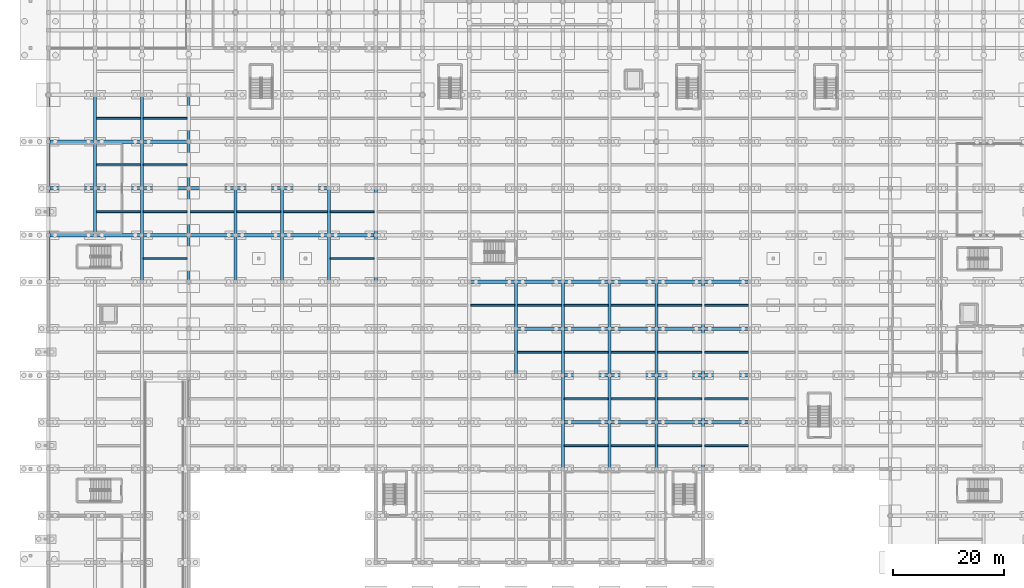
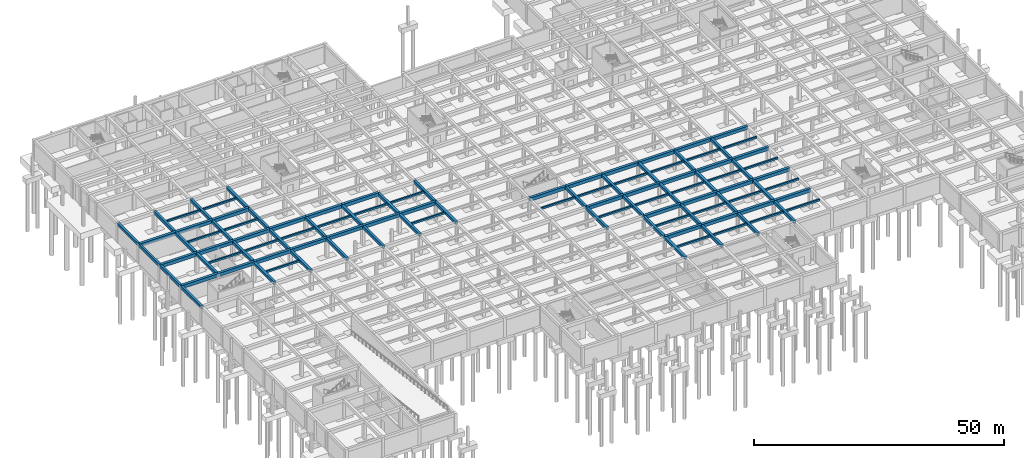
# One storey, part 17 of 51: 107 beams.
"""IFC4 building model written with IfcOpenShell, lengths in metres."""

from ifc_helpers import new_model, si_unit, direction, frame, origin, origin_2d, place, context, subcontext, project, spatial, rectangle, extrude, material, material_profile, profile_set, type_object, element, save


model = new_model("IFC4")

# Units and contexts
model_context = context("Model", 3, precision=1e-05, world=origin(), true_north=direction((0.0, 1.0)))
body_context = subcontext(model_context, "Body", "Model", "MODEL_VIEW")
ifc_project = project(units=[si_unit("LENGTHUNIT", "METRE"), si_unit("AREAUNIT", "SQUARE_METRE"), si_unit("VOLUMEUNIT", "CUBIC_METRE"), si_unit("PLANEANGLEUNIT", "RADIAN"), si_unit("MASSUNIT", "GRAM", prefix="KILO")], contexts=[model_context])

# Site, building, storey
site_placement = place(None, origin())
site = spatial("IfcSite", under=ifc_project, at=site_placement, CompositionType="ELEMENT")
building_placement = place(site_placement, origin())
building = spatial("IfcBuilding", under=site, at=building_placement, Name="Varncliffe General Hospital", CompositionType="ELEMENT")
storey_placement = place(building_placement, frame((0.0, 0.0, -4.800048828125)))
storey = spatial("IfcBuildingStorey", under=building, at=storey_placement, Name="B1", CompositionType="ELEMENT", Elevation=-4.800048828125)

# Beams
ifc_material = material(Name="Concrete C35/45 (CSA A23.1 35 MPa)", Category="concrete")
ifc_material_profile_1 = material_profile(ifc_material, rectangle(XDim=0.550048828125, YDim=0.699951171875, at=origin_2d()), Name="RC 550x700")
ifc_profile_set_1 = profile_set([ifc_material_profile_1], Name="Concrete C35/45 (CSA A23.1 35 MPa)")
beam_type_1 = type_object("IfcBeamType", Name="Beam B35 (Int RC 550x700)", PredefinedType="BEAM", material=ifc_profile_set_1)
beam_1_placement = place(storey_placement, frame((8.39990234375, 66.0, 4.449951171875), z_axis=(0.0, 1.0, 0.0), x_axis=(-1.0, 0.0, 0.0)))
element("IfcBeam", 1, at=beam_1_placement, inside=storey, type_object=beam_type_1, Name="B1 Primary Beam B35-345", PredefinedType="BEAM", context=body_context, shape_type="SweptSolid", body=[
    extrude(rectangle(XDim=0.550048828125, YDim=0.699951171875, at=origin_2d()), origin(), (0.0, 0.0, 1.0), 8.39990234375),
])
beam_2_placement = place(storey_placement, frame((8.39990234375, 74.39990234375, 4.449951171875), z_axis=(0.0, 1.0, 0.0), x_axis=(-1.0, 0.0, 0.0)))
element("IfcBeam", 2, at=beam_2_placement, inside=storey, type_object=beam_type_1, Name="B1 Primary Beam B35-346", PredefinedType="BEAM", context=body_context, shape_type="SweptSolid", body=[
    extrude(rectangle(XDim=0.550048828125, YDim=0.699951171875, at=origin_2d()), origin(), (0.0, 0.0, 1.0), 8.400146484375),
])
for number, where, z_axis, x_axis, name in (
    (3, (8.39990234375, 82.800048828125, 4.449951171875), (0.0, 1.0, 0.0), (-1.0, 0.0, 0.0), "B1 Primary Beam B35-347"),
    (4, (16.800048828125, 57.60009765625, 4.449951171875), (0.0, 1.0, 0.0), (-1.0, 0.0, 0.0), "B1 Primary Beam B35-361"),
    (5, (16.800048828125, 66.0, 4.449951171875), (0.0, 1.0, 0.0), (-1.0, 0.0, 0.0), "B1 Primary Beam B35-362"),
):
    element("IfcBeam", number, at=place(storey_placement, frame(where, z_axis=z_axis, x_axis=x_axis)), inside=storey, type_object=beam_type_1, Name=name, PredefinedType="BEAM", context=body_context, shape_type="SweptSolid", body=[
        extrude(rectangle(XDim=0.550048828125, YDim=0.699951171875, at=origin_2d()), origin(), (0.0, 0.0, 1.0), 8.39990234375),
    ])
beam_3_placement = place(storey_placement, frame((16.800048828125, 74.39990234375, 4.449951171875), z_axis=(0.0, 1.0, 0.0), x_axis=(-1.0, 0.0, 0.0)))
element("IfcBeam", 6, at=beam_3_placement, inside=storey, type_object=beam_type_1, Name="B1 Primary Beam B35-363", PredefinedType="BEAM", context=body_context, shape_type="SweptSolid", body=[
    extrude(rectangle(XDim=0.550048828125, YDim=0.699951171875, at=origin_2d()), origin(), (0.0, 0.0, 1.0), 8.400146484375),
])
for number, where, z_axis, x_axis, name in (
    (7, (16.800048828125, 82.800048828125, 4.449951171875), (0.0, 1.0, 0.0), (-1.0, 0.0, 0.0), "B1 Primary Beam B35-364"),
    (8, (25.199951171875, 57.60009765625, 4.449951171875), (0.0, 1.0, 0.0), (-1.0, 0.0, 0.0), "B1 Primary Beam B35-378"),
    (9, (25.199951171875, 66.0, 4.449951171875), (0.0, 1.0, 0.0), (-1.0, 0.0, 0.0), "B1 Primary Beam B35-379"),
):
    element("IfcBeam", number, at=place(storey_placement, frame(where, z_axis=z_axis, x_axis=x_axis)), inside=storey, type_object=beam_type_1, Name=name, PredefinedType="BEAM", context=body_context, shape_type="SweptSolid", body=[
        extrude(rectangle(XDim=0.550048828125, YDim=0.699951171875, at=origin_2d()), origin(), (0.0, 0.0, 1.0), 8.39990234375),
    ])
beam_4_placement = place(storey_placement, frame((25.199951171875, 74.39990234375, 4.449951171875), z_axis=(0.0, 1.0, 0.0), x_axis=(-1.0, 0.0, 0.0)))
element("IfcBeam", 10, at=beam_4_placement, inside=storey, type_object=beam_type_1, Name="B1 Primary Beam B35-380", PredefinedType="BEAM", context=body_context, shape_type="SweptSolid", body=[
    extrude(rectangle(XDim=0.550048828125, YDim=0.699951171875, at=origin_2d()), origin(), (0.0, 0.0, 1.0), 8.400146484375),
])
for number, where, z_axis, x_axis, name in (
    (11, (25.199951171875, 82.800048828125, 4.449951171875), (0.0, 1.0, 0.0), (-1.0, 0.0, 0.0), "B1 Primary Beam B35-381"),
    (12, (33.60009765625, 57.60009765625, 4.449951171875), (0.0, 1.0, 0.0), (-1.0, 0.0, 0.0), "B1 Primary Beam B35-392"),
    (13, (33.60009765625, 66.0, 4.449951171875), (0.0, 1.0, 0.0), (-1.0, 0.0, 0.0), "B1 Primary Beam B35-393"),
    (14, (42.0, 57.60009765625, 4.449951171875), (0.0, 1.0, 0.0), (-1.0, 0.0, 0.0), "B1 Primary Beam B35-406"),
    (15, (42.0, 66.0, 4.449951171875), (0.0, 1.0, 0.0), (-1.0, 0.0, 0.0), "B1 Primary Beam B35-407"),
    (16, (50.39990234375, 57.60009765625, 4.449951171875), (0.0, 1.0, 0.0), (-1.0, 0.0, 0.0), "B1 Primary Beam B35-420"),
    (17, (50.39990234375, 66.0, 4.449951171875), (0.0, 1.0, 0.0), (-1.0, 0.0, 0.0), "B1 Primary Beam B35-421"),
    (18, (58.800048828125, 57.60009765625, 4.449951171875), (0.0, 1.0, 0.0), (-1.0, 0.0, 0.0), "B1 Primary Beam B35-436"),
    (19, (58.800048828125, 66.0, 4.449951171875), (0.0, 1.0, 0.0), (-1.0, 0.0, 0.0), "B1 Primary Beam B35-437"),
    (20, (84.0, 40.800048828125, 4.449951171875), (0.0, 1.0, 0.0), (-1.0, 0.0, 0.0), "B1 Primary Beam B35-479"),
):
    element("IfcBeam", number, at=place(storey_placement, frame(where, z_axis=z_axis, x_axis=x_axis)), inside=storey, type_object=beam_type_1, Name=name, PredefinedType="BEAM", context=body_context, shape_type="SweptSolid", body=[
        extrude(rectangle(XDim=0.550048828125, YDim=0.699951171875, at=origin_2d()), origin(), (0.0, 0.0, 1.0), 8.39990234375),
    ])
beam_5_placement = place(storey_placement, frame((84.0, 49.199951171875, 4.449951171875), z_axis=(0.0, 1.0, 0.0), x_axis=(-1.0, 0.0, 0.0)))
element("IfcBeam", 21, at=beam_5_placement, inside=storey, type_object=beam_type_1, Name="B1 Primary Beam B35-480", PredefinedType="BEAM", context=body_context, shape_type="SweptSolid", body=[
    extrude(rectangle(XDim=0.550048828125, YDim=0.699951171875, at=origin_2d()), origin(), (0.0, 0.0, 1.0), 8.400146484375),
])
beam_6_placement = place(storey_placement, frame((92.39990234375, 24.0, 4.449951171875), z_axis=(0.0, 1.0, 0.0), x_axis=(-1.0, 0.0, 0.0)))
element("IfcBeam", 22, at=beam_6_placement, inside=storey, type_object=beam_type_1, Name="B1 Primary Beam B35-490", PredefinedType="BEAM", context=body_context, shape_type="SweptSolid", body=[
    extrude(rectangle(XDim=0.550048828125, YDim=0.699951171875, at=origin_2d()), origin(), (0.0, 0.0, 1.0), 8.39990234375),
])
beam_7_placement = place(storey_placement, frame((92.39990234375, 32.39990234375, 4.449951171875), z_axis=(0.0, 1.0, 0.0), x_axis=(-1.0, 0.0, 0.0)))
element("IfcBeam", 23, at=beam_7_placement, inside=storey, type_object=beam_type_1, Name="B1 Primary Beam B35-491", PredefinedType="BEAM", context=body_context, shape_type="SweptSolid", body=[
    extrude(rectangle(XDim=0.550048828125, YDim=0.699951171875, at=origin_2d()), origin(), (0.0, 0.0, 1.0), 8.400146484375),
])
beam_8_placement = place(storey_placement, frame((92.39990234375, 40.800048828125, 4.449951171875), z_axis=(0.0, 1.0, 0.0), x_axis=(-1.0, 0.0, 0.0)))
element("IfcBeam", 24, at=beam_8_placement, inside=storey, type_object=beam_type_1, Name="B1 Primary Beam B35-492", PredefinedType="BEAM", context=body_context, shape_type="SweptSolid", body=[
    extrude(rectangle(XDim=0.550048828125, YDim=0.699951171875, at=origin_2d()), origin(), (0.0, 0.0, 1.0), 8.39990234375),
])
beam_9_placement = place(storey_placement, frame((92.39990234375, 49.199951171875, 4.449951171875), z_axis=(0.0, 1.0, 0.0), x_axis=(-1.0, 0.0, 0.0)))
element("IfcBeam", 25, at=beam_9_placement, inside=storey, type_object=beam_type_1, Name="B1 Primary Beam B35-493", PredefinedType="BEAM", context=body_context, shape_type="SweptSolid", body=[
    extrude(rectangle(XDim=0.550048828125, YDim=0.699951171875, at=origin_2d()), origin(), (0.0, 0.0, 1.0), 8.400146484375),
])
beam_10_placement = place(storey_placement, frame((100.800048828125, 24.0, 4.449951171875), z_axis=(0.0, 1.0, 0.0), x_axis=(-1.0, 0.0, 0.0)))
element("IfcBeam", 26, at=beam_10_placement, inside=storey, type_object=beam_type_1, Name="B1 Primary Beam B35-503", PredefinedType="BEAM", context=body_context, shape_type="SweptSolid", body=[
    extrude(rectangle(XDim=0.550048828125, YDim=0.699951171875, at=origin_2d()), origin(), (0.0, 0.0, 1.0), 8.39990234375),
])
beam_11_placement = place(storey_placement, frame((100.800048828125, 32.39990234375, 4.449951171875), z_axis=(0.0, 1.0, 0.0), x_axis=(-1.0, 0.0, 0.0)))
element("IfcBeam", 27, at=beam_11_placement, inside=storey, type_object=beam_type_1, Name="B1 Primary Beam B35-504", PredefinedType="BEAM", context=body_context, shape_type="SweptSolid", body=[
    extrude(rectangle(XDim=0.550048828125, YDim=0.699951171875, at=origin_2d()), origin(), (0.0, 0.0, 1.0), 8.400146484375),
])
beam_12_placement = place(storey_placement, frame((100.800048828125, 40.800048828125, 4.449951171875), z_axis=(0.0, 1.0, 0.0), x_axis=(-1.0, 0.0, 0.0)))
element("IfcBeam", 28, at=beam_12_placement, inside=storey, type_object=beam_type_1, Name="B1 Primary Beam B35-505", PredefinedType="BEAM", context=body_context, shape_type="SweptSolid", body=[
    extrude(rectangle(XDim=0.550048828125, YDim=0.699951171875, at=origin_2d()), origin(), (0.0, 0.0, 1.0), 8.39990234375),
])
beam_13_placement = place(storey_placement, frame((100.800048828125, 49.199951171875, 4.449951171875), z_axis=(0.0, 1.0, 0.0), x_axis=(-1.0, 0.0, 0.0)))
element("IfcBeam", 29, at=beam_13_placement, inside=storey, type_object=beam_type_1, Name="B1 Primary Beam B35-506", PredefinedType="BEAM", context=body_context, shape_type="SweptSolid", body=[
    extrude(rectangle(XDim=0.550048828125, YDim=0.699951171875, at=origin_2d()), origin(), (0.0, 0.0, 1.0), 8.400146484375),
])
beam_14_placement = place(storey_placement, frame((109.199951171875, 24.0, 4.449951171875), z_axis=(0.0, 1.0, 0.0), x_axis=(-1.0, 0.0, 0.0)))
element("IfcBeam", 30, at=beam_14_placement, inside=storey, type_object=beam_type_1, Name="B1 Primary Beam B35-516", PredefinedType="BEAM", context=body_context, shape_type="SweptSolid", body=[
    extrude(rectangle(XDim=0.550048828125, YDim=0.699951171875, at=origin_2d()), origin(), (0.0, 0.0, 1.0), 8.39990234375),
])
beam_15_placement = place(storey_placement, frame((109.199951171875, 32.39990234375, 4.449951171875), z_axis=(0.0, 1.0, 0.0), x_axis=(-1.0, 0.0, 0.0)))
element("IfcBeam", 31, at=beam_15_placement, inside=storey, type_object=beam_type_1, Name="B1 Primary Beam B35-517", PredefinedType="BEAM", context=body_context, shape_type="SweptSolid", body=[
    extrude(rectangle(XDim=0.550048828125, YDim=0.699951171875, at=origin_2d()), origin(), (0.0, 0.0, 1.0), 8.400146484375),
])
beam_16_placement = place(storey_placement, frame((109.199951171875, 40.800048828125, 4.449951171875), z_axis=(0.0, 1.0, 0.0), x_axis=(-1.0, 0.0, 0.0)))
element("IfcBeam", 32, at=beam_16_placement, inside=storey, type_object=beam_type_1, Name="B1 Primary Beam B35-518", PredefinedType="BEAM", context=body_context, shape_type="SweptSolid", body=[
    extrude(rectangle(XDim=0.550048828125, YDim=0.699951171875, at=origin_2d()), origin(), (0.0, 0.0, 1.0), 8.39990234375),
])
beam_17_placement = place(storey_placement, frame((109.199951171875, 49.199951171875, 4.449951171875), z_axis=(0.0, 1.0, 0.0), x_axis=(-1.0, 0.0, 0.0)))
element("IfcBeam", 33, at=beam_17_placement, inside=storey, type_object=beam_type_1, Name="B1 Primary Beam B35-519", PredefinedType="BEAM", context=body_context, shape_type="SweptSolid", body=[
    extrude(rectangle(XDim=0.550048828125, YDim=0.699951171875, at=origin_2d()), origin(), (0.0, 0.0, 1.0), 8.400146484375),
])
beam_18_placement = place(storey_placement, frame((117.60009765625, 24.0, 4.449951171875), z_axis=(0.0, 1.0, 0.0), x_axis=(-1.0, 0.0, 0.0)))
element("IfcBeam", 34, at=beam_18_placement, inside=storey, type_object=beam_type_1, Name="B1 Primary Beam B35-532", PredefinedType="BEAM", context=body_context, shape_type="SweptSolid", body=[
    extrude(rectangle(XDim=0.550048828125, YDim=0.699951171875, at=origin_2d()), origin(), (0.0, 0.0, 1.0), 8.39990234375),
])
beam_19_placement = place(storey_placement, frame((117.60009765625, 32.39990234375, 4.449951171875), z_axis=(0.0, 1.0, 0.0), x_axis=(-1.0, 0.0, 0.0)))
element("IfcBeam", 35, at=beam_19_placement, inside=storey, type_object=beam_type_1, Name="B1 Primary Beam B35-533", PredefinedType="BEAM", context=body_context, shape_type="SweptSolid", body=[
    extrude(rectangle(XDim=0.550048828125, YDim=0.699951171875, at=origin_2d()), origin(), (0.0, 0.0, 1.0), 8.400146484375),
])
beam_20_placement = place(storey_placement, frame((117.60009765625, 40.800048828125, 4.449951171875), z_axis=(0.0, 1.0, 0.0), x_axis=(-1.0, 0.0, 0.0)))
element("IfcBeam", 36, at=beam_20_placement, inside=storey, type_object=beam_type_1, Name="B1 Primary Beam B35-534", PredefinedType="BEAM", context=body_context, shape_type="SweptSolid", body=[
    extrude(rectangle(XDim=0.550048828125, YDim=0.699951171875, at=origin_2d()), origin(), (0.0, 0.0, 1.0), 8.39990234375),
])
beam_21_placement = place(storey_placement, frame((117.60009765625, 49.199951171875, 4.449951171875), z_axis=(0.0, 1.0, 0.0), x_axis=(-1.0, 0.0, 0.0)))
element("IfcBeam", 37, at=beam_21_placement, inside=storey, type_object=beam_type_1, Name="B1 Primary Beam B35-535", PredefinedType="BEAM", context=body_context, shape_type="SweptSolid", body=[
    extrude(rectangle(XDim=0.550048828125, YDim=0.699951171875, at=origin_2d()), origin(), (0.0, 0.0, 1.0), 8.400146484375),
])
ifc_material_profile_2 = material_profile(ifc_material, rectangle(XDim=0.60009765625, YDim=0.800048828125, at=origin_2d()), Name="RC 600x800")
ifc_profile_set_2 = profile_set([ifc_material_profile_2], Name="Concrete C35/45 (CSA A23.1 35 MPa)")
beam_type_2 = type_object("IfcBeamType", Name="Beam B40 (Int RC 600x800)", PredefinedType="BEAM", material=ifc_profile_set_2)
beam_22_placement = place(storey_placement, frame((92.39990234375, 32.39990234375, 4.400146484375), z_axis=(1.0, 0.0, 0.0), x_axis=(0.0, 1.0, 0.0)))
element("IfcBeam", 38, at=beam_22_placement, inside=storey, type_object=beam_type_2, Name="B1 Primary Beam B40-61", PredefinedType="BEAM", context=body_context, shape_type="SweptSolid", body=[
    extrude(rectangle(XDim=0.60009765625, YDim=0.800048828125, at=origin_2d()), origin(), (0.0, 0.0, 1.0), 8.400146484375),
])
beam_23_placement = place(storey_placement, frame((100.800048828125, 32.39990234375, 4.400146484375), z_axis=(1.0, 0.0, 0.0), x_axis=(0.0, 1.0, 0.0)))
element("IfcBeam", 39, at=beam_23_placement, inside=storey, type_object=beam_type_2, Name="B1 Primary Beam B40-62", PredefinedType="BEAM", context=body_context, shape_type="SweptSolid", body=[
    extrude(rectangle(XDim=0.60009765625, YDim=0.800048828125, at=origin_2d()), origin(), (0.0, 0.0, 1.0), 8.39990234375),
])
beam_24_placement = place(storey_placement, frame((109.199951171875, 32.39990234375, 4.400146484375), z_axis=(1.0, 0.0, 0.0), x_axis=(0.0, 1.0, 0.0)))
element("IfcBeam", 40, at=beam_24_placement, inside=storey, type_object=beam_type_2, Name="B1 Primary Beam B40-63", PredefinedType="BEAM", context=body_context, shape_type="SweptSolid", body=[
    extrude(rectangle(XDim=0.60009765625, YDim=0.800048828125, at=origin_2d()), origin(), (0.0, 0.0, 1.0), 8.400146484375),
])
beam_25_placement = place(storey_placement, frame((117.60009765625, 32.39990234375, 4.400146484375), z_axis=(1.0, 0.0, 0.0), x_axis=(0.0, 1.0, 0.0)))
element("IfcBeam", 41, at=beam_25_placement, inside=storey, type_object=beam_type_2, Name="B1 Primary Beam B40-64", PredefinedType="BEAM", context=body_context, shape_type="SweptSolid", body=[
    extrude(rectangle(XDim=0.60009765625, YDim=0.800048828125, at=origin_2d()), origin(), (0.0, 0.0, 1.0), 8.39990234375),
])
beam_26_placement = place(storey_placement, frame((92.39990234375, 40.800048828125, 4.400146484375), z_axis=(1.0, 0.0, 0.0), x_axis=(0.0, 1.0, 0.0)))
element("IfcBeam", 42, at=beam_26_placement, inside=storey, type_object=beam_type_2, Name="B1 Primary Beam B40-81", PredefinedType="BEAM", context=body_context, shape_type="SweptSolid", body=[
    extrude(rectangle(XDim=0.60009765625, YDim=0.800048828125, at=origin_2d()), origin(), (0.0, 0.0, 1.0), 8.400146484375),
])
beam_27_placement = place(storey_placement, frame((100.800048828125, 40.800048828125, 4.400146484375), z_axis=(1.0, 0.0, 0.0), x_axis=(0.0, 1.0, 0.0)))
element("IfcBeam", 43, at=beam_27_placement, inside=storey, type_object=beam_type_2, Name="B1 Primary Beam B40-82", PredefinedType="BEAM", context=body_context, shape_type="SweptSolid", body=[
    extrude(rectangle(XDim=0.60009765625, YDim=0.800048828125, at=origin_2d()), origin(), (0.0, 0.0, 1.0), 8.39990234375),
])
beam_28_placement = place(storey_placement, frame((109.199951171875, 40.800048828125, 4.400146484375), z_axis=(1.0, 0.0, 0.0), x_axis=(0.0, 1.0, 0.0)))
element("IfcBeam", 44, at=beam_28_placement, inside=storey, type_object=beam_type_2, Name="B1 Primary Beam B40-83", PredefinedType="BEAM", context=body_context, shape_type="SweptSolid", body=[
    extrude(rectangle(XDim=0.60009765625, YDim=0.800048828125, at=origin_2d()), origin(), (0.0, 0.0, 1.0), 8.400146484375),
])
for number, where, z_axis, x_axis, name in (
    (45, (117.60009765625, 40.800048828125, 4.400146484375), (1.0, 0.0, 0.0), (0.0, 1.0, 0.0), "B1 Primary Beam B40-84"),
    (46, (84.0, 49.199951171875, 4.400146484375), (1.0, 0.0, 0.0), (0.0, 1.0, 0.0), "B1 Primary Beam B40-101"),
):
    element("IfcBeam", number, at=place(storey_placement, frame(where, z_axis=z_axis, x_axis=x_axis)), inside=storey, type_object=beam_type_2, Name=name, PredefinedType="BEAM", context=body_context, shape_type="SweptSolid", body=[
        extrude(rectangle(XDim=0.60009765625, YDim=0.800048828125, at=origin_2d()), origin(), (0.0, 0.0, 1.0), 8.39990234375),
    ])
beam_29_placement = place(storey_placement, frame((92.39990234375, 49.199951171875, 4.400146484375), z_axis=(1.0, 0.0, 0.0), x_axis=(0.0, 1.0, 0.0)))
element("IfcBeam", 47, at=beam_29_placement, inside=storey, type_object=beam_type_2, Name="B1 Primary Beam B40-102", PredefinedType="BEAM", context=body_context, shape_type="SweptSolid", body=[
    extrude(rectangle(XDim=0.60009765625, YDim=0.800048828125, at=origin_2d()), origin(), (0.0, 0.0, 1.0), 8.400146484375),
])
beam_30_placement = place(storey_placement, frame((100.800048828125, 49.199951171875, 4.400146484375), z_axis=(1.0, 0.0, 0.0), x_axis=(0.0, 1.0, 0.0)))
element("IfcBeam", 48, at=beam_30_placement, inside=storey, type_object=beam_type_2, Name="B1 Primary Beam B40-103", PredefinedType="BEAM", context=body_context, shape_type="SweptSolid", body=[
    extrude(rectangle(XDim=0.60009765625, YDim=0.800048828125, at=origin_2d()), origin(), (0.0, 0.0, 1.0), 8.39990234375),
])
beam_31_placement = place(storey_placement, frame((109.199951171875, 49.199951171875, 4.400146484375), z_axis=(1.0, 0.0, 0.0), x_axis=(0.0, 1.0, 0.0)))
element("IfcBeam", 49, at=beam_31_placement, inside=storey, type_object=beam_type_2, Name="B1 Primary Beam B40-104", PredefinedType="BEAM", context=body_context, shape_type="SweptSolid", body=[
    extrude(rectangle(XDim=0.60009765625, YDim=0.800048828125, at=origin_2d()), origin(), (0.0, 0.0, 1.0), 8.400146484375),
])
for number, where, z_axis, x_axis, name in (
    (50, (117.60009765625, 49.199951171875, 4.400146484375), (1.0, 0.0, 0.0), (0.0, 1.0, 0.0), "B1 Primary Beam B40-105"),
    (51, (75.60009765625, 57.60009765625, 4.400146484375), (1.0, 0.0, 0.0), (0.0, 1.0, 0.0), "B1 Primary Beam B40-121"),
    (52, (84.0, 57.60009765625, 4.400146484375), (1.0, 0.0, 0.0), (0.0, 1.0, 0.0), "B1 Primary Beam B40-122"),
):
    element("IfcBeam", number, at=place(storey_placement, frame(where, z_axis=z_axis, x_axis=x_axis)), inside=storey, type_object=beam_type_2, Name=name, PredefinedType="BEAM", context=body_context, shape_type="SweptSolid", body=[
        extrude(rectangle(XDim=0.60009765625, YDim=0.800048828125, at=origin_2d()), origin(), (0.0, 0.0, 1.0), 8.39990234375),
    ])
beam_32_placement = place(storey_placement, frame((92.39990234375, 57.60009765625, 4.400146484375), z_axis=(1.0, 0.0, 0.0), x_axis=(0.0, 1.0, 0.0)))
element("IfcBeam", 53, at=beam_32_placement, inside=storey, type_object=beam_type_2, Name="B1 Primary Beam B40-123", PredefinedType="BEAM", context=body_context, shape_type="SweptSolid", body=[
    extrude(rectangle(XDim=0.60009765625, YDim=0.800048828125, at=origin_2d()), origin(), (0.0, 0.0, 1.0), 8.400146484375),
])
beam_33_placement = place(storey_placement, frame((100.800048828125, 57.60009765625, 4.400146484375), z_axis=(1.0, 0.0, 0.0), x_axis=(0.0, 1.0, 0.0)))
element("IfcBeam", 54, at=beam_33_placement, inside=storey, type_object=beam_type_2, Name="B1 Primary Beam B40-124", PredefinedType="BEAM", context=body_context, shape_type="SweptSolid", body=[
    extrude(rectangle(XDim=0.60009765625, YDim=0.800048828125, at=origin_2d()), origin(), (0.0, 0.0, 1.0), 8.39990234375),
])
beam_34_placement = place(storey_placement, frame((109.199951171875, 57.60009765625, 4.400146484375), z_axis=(1.0, 0.0, 0.0), x_axis=(0.0, 1.0, 0.0)))
element("IfcBeam", 55, at=beam_34_placement, inside=storey, type_object=beam_type_2, Name="B1 Primary Beam B40-125", PredefinedType="BEAM", context=body_context, shape_type="SweptSolid", body=[
    extrude(rectangle(XDim=0.60009765625, YDim=0.800048828125, at=origin_2d()), origin(), (0.0, 0.0, 1.0), 8.400146484375),
])
for number, where, z_axis, x_axis, name in (
    (56, (117.60009765625, 57.60009765625, 4.400146484375), (1.0, 0.0, 0.0), (0.0, 1.0, 0.0), "B1 Primary Beam B40-126"),
    (57, (0.0, 66.0, 4.400146484375), (1.0, 0.0, 0.0), (0.0, 1.0, 0.0), "B1 Primary Beam B40-133"),
):
    element("IfcBeam", number, at=place(storey_placement, frame(where, z_axis=z_axis, x_axis=x_axis)), inside=storey, type_object=beam_type_2, Name=name, PredefinedType="BEAM", context=body_context, shape_type="SweptSolid", body=[
        extrude(rectangle(XDim=0.60009765625, YDim=0.800048828125, at=origin_2d()), origin(), (0.0, 0.0, 1.0), 8.39990234375),
    ])
beam_35_placement = place(storey_placement, frame((8.39990234375, 66.0, 4.400146484375), z_axis=(1.0, 0.0, 0.0), x_axis=(0.0, 1.0, 0.0)))
element("IfcBeam", 58, at=beam_35_placement, inside=storey, type_object=beam_type_2, Name="B1 Primary Beam B40-134", PredefinedType="BEAM", context=body_context, shape_type="SweptSolid", body=[
    extrude(rectangle(XDim=0.60009765625, YDim=0.800048828125, at=origin_2d()), origin(), (0.0, 0.0, 1.0), 8.400146484375),
])
beam_36_placement = place(storey_placement, frame((16.800048828125, 66.0, 4.400146484375), z_axis=(1.0, 0.0, 0.0), x_axis=(0.0, 1.0, 0.0)))
element("IfcBeam", 59, at=beam_36_placement, inside=storey, type_object=beam_type_2, Name="B1 Primary Beam B40-135", PredefinedType="BEAM", context=body_context, shape_type="SweptSolid", body=[
    extrude(rectangle(XDim=0.60009765625, YDim=0.800048828125, at=origin_2d()), origin(), (0.0, 0.0, 1.0), 8.39990234375),
])
beam_37_placement = place(storey_placement, frame((25.199951171875, 66.0, 4.400146484375), z_axis=(1.0, 0.0, 0.0), x_axis=(0.0, 1.0, 0.0)))
element("IfcBeam", 60, at=beam_37_placement, inside=storey, type_object=beam_type_2, Name="B1 Primary Beam B40-136", PredefinedType="BEAM", context=body_context, shape_type="SweptSolid", body=[
    extrude(rectangle(XDim=0.60009765625, YDim=0.800048828125, at=origin_2d()), origin(), (0.0, 0.0, 1.0), 8.400146484375),
])
for number, where, z_axis, x_axis, name in (
    (61, (33.60009765625, 66.0, 4.400146484375), (1.0, 0.0, 0.0), (0.0, 1.0, 0.0), "B1 Primary Beam B40-137"),
    (62, (42.0, 66.0, 4.400146484375), (1.0, 0.0, 0.0), (0.0, 1.0, 0.0), "B1 Primary Beam B40-138"),
):
    element("IfcBeam", number, at=place(storey_placement, frame(where, z_axis=z_axis, x_axis=x_axis)), inside=storey, type_object=beam_type_2, Name=name, PredefinedType="BEAM", context=body_context, shape_type="SweptSolid", body=[
        extrude(rectangle(XDim=0.60009765625, YDim=0.800048828125, at=origin_2d()), origin(), (0.0, 0.0, 1.0), 8.39990234375),
    ])
beam_38_placement = place(storey_placement, frame((50.39990234375, 66.0, 4.400146484375), z_axis=(1.0, 0.0, 0.0), x_axis=(0.0, 1.0, 0.0)))
element("IfcBeam", 63, at=beam_38_placement, inside=storey, type_object=beam_type_2, Name="B1 Primary Beam B40-139", PredefinedType="BEAM", context=body_context, shape_type="SweptSolid", body=[
    extrude(rectangle(XDim=0.60009765625, YDim=0.800048828125, at=origin_2d()), origin(), (0.0, 0.0, 1.0), 8.400146484375),
])
beam_39_placement = place(storey_placement, frame((0.0, 74.39990234375, 4.400146484375), z_axis=(1.0, 0.0, 0.0), x_axis=(0.0, 1.0, 0.0)))
element("IfcBeam", 64, at=beam_39_placement, inside=storey, type_object=beam_type_2, Name="B1 Primary Beam B40-154", PredefinedType="BEAM", context=body_context, shape_type="SweptSolid", body=[
    extrude(rectangle(XDim=0.60009765625, YDim=0.800048828125, at=origin_2d()), origin(), (0.0, 0.0, 1.0), 8.39990234375),
])
beam_40_placement = place(storey_placement, frame((8.39990234375, 74.39990234375, 4.400146484375), z_axis=(1.0, 0.0, 0.0), x_axis=(0.0, 1.0, 0.0)))
element("IfcBeam", 65, at=beam_40_placement, inside=storey, type_object=beam_type_2, Name="B1 Primary Beam B40-155", PredefinedType="BEAM", context=body_context, shape_type="SweptSolid", body=[
    extrude(rectangle(XDim=0.60009765625, YDim=0.800048828125, at=origin_2d()), origin(), (0.0, 0.0, 1.0), 8.400146484375),
])
beam_41_placement = place(storey_placement, frame((16.800048828125, 74.39990234375, 4.400146484375), z_axis=(1.0, 0.0, 0.0), x_axis=(0.0, 1.0, 0.0)))
element("IfcBeam", 66, at=beam_41_placement, inside=storey, type_object=beam_type_2, Name="B1 Primary Beam B40-156", PredefinedType="BEAM", context=body_context, shape_type="SweptSolid", body=[
    extrude(rectangle(XDim=0.60009765625, YDim=0.800048828125, at=origin_2d()), origin(), (0.0, 0.0, 1.0), 8.39990234375),
])
beam_42_placement = place(storey_placement, frame((25.199951171875, 74.39990234375, 4.400146484375), z_axis=(1.0, 0.0, 0.0), x_axis=(0.0, 1.0, 0.0)))
element("IfcBeam", 67, at=beam_42_placement, inside=storey, type_object=beam_type_2, Name="B1 Primary Beam B40-157", PredefinedType="BEAM", context=body_context, shape_type="SweptSolid", body=[
    extrude(rectangle(XDim=0.60009765625, YDim=0.800048828125, at=origin_2d()), origin(), (0.0, 0.0, 1.0), 8.400146484375),
])
for number, where, z_axis, x_axis, name in (
    (68, (33.60009765625, 74.39990234375, 4.400146484375), (1.0, 0.0, 0.0), (0.0, 1.0, 0.0), "B1 Primary Beam B40-158"),
    (69, (42.0, 74.39990234375, 4.400146484375), (1.0, 0.0, 0.0), (0.0, 1.0, 0.0), "B1 Primary Beam B40-159"),
    (70, (0.0, 82.800048828125, 4.400146484375), (1.0, 0.0, 0.0), (0.0, 1.0, 0.0), "B1 Primary Beam B40-175"),
):
    element("IfcBeam", number, at=place(storey_placement, frame(where, z_axis=z_axis, x_axis=x_axis)), inside=storey, type_object=beam_type_2, Name=name, PredefinedType="BEAM", context=body_context, shape_type="SweptSolid", body=[
        extrude(rectangle(XDim=0.60009765625, YDim=0.800048828125, at=origin_2d()), origin(), (0.0, 0.0, 1.0), 8.39990234375),
    ])
beam_43_placement = place(storey_placement, frame((8.39990234375, 82.800048828125, 4.400146484375), z_axis=(1.0, 0.0, 0.0), x_axis=(0.0, 1.0, 0.0)))
element("IfcBeam", 71, at=beam_43_placement, inside=storey, type_object=beam_type_2, Name="B1 Primary Beam B40-176", PredefinedType="BEAM", context=body_context, shape_type="SweptSolid", body=[
    extrude(rectangle(XDim=0.60009765625, YDim=0.800048828125, at=origin_2d()), origin(), (0.0, 0.0, 1.0), 8.400146484375),
])
beam_44_placement = place(storey_placement, frame((16.800048828125, 82.800048828125, 4.400146484375), z_axis=(1.0, 0.0, 0.0), x_axis=(0.0, 1.0, 0.0)))
element("IfcBeam", 72, at=beam_44_placement, inside=storey, type_object=beam_type_2, Name="B1 Primary Beam B40-177", PredefinedType="BEAM", context=body_context, shape_type="SweptSolid", body=[
    extrude(rectangle(XDim=0.60009765625, YDim=0.800048828125, at=origin_2d()), origin(), (0.0, 0.0, 1.0), 8.39990234375),
])
ifc_material_profile_3 = material_profile(ifc_material, rectangle(XDim=0.35009765625, YDim=0.449951171875, at=origin_2d()), Name="RC 350x450")
ifc_profile_set_3 = profile_set([ifc_material_profile_3], Name="Concrete C35/45 (CSA A23.1 35 MPa)")
beam_type_3 = type_object("IfcBeamType", Name="Joist J55 (Int RC 350x450)", PredefinedType="JOIST", material=ifc_profile_set_3)
for number, where, z_axis, x_axis, name in (
    (73, (8.673095703125, 70.199951171875, 4.574951171875), (1.0, 0.0, 0.0), (0.0, 1.0, 0.0), "B1 Secondary Floor Rib J55-6"),
    (74, (8.673095703125, 78.60009765625, 4.574951171875), (1.0, 0.0, 0.0), (0.0, 1.0, 0.0), "B1 Secondary Floor Rib J55-7"),
    (75, (8.673095703125, 87.0, 4.574951171875), (1.0, 0.0, 0.0), (0.0, 1.0, 0.0), "B1 Secondary Floor Rib J55-8"),
    (76, (17.072998046875, 61.800048828125, 4.574951171875), (1.0, 0.0, 0.0), (0.0, 1.0, 0.0), "B1 Secondary Floor Rib J55-12"),
    (77, (17.072998046875, 70.199951171875, 4.574951171875), (1.0, 0.0, 0.0), (0.0, 1.0, 0.0), "B1 Secondary Floor Rib J55-13"),
    (78, (17.072998046875, 78.60009765625, 4.574951171875), (1.0, 0.0, 0.0), (0.0, 1.0, 0.0), "B1 Secondary Floor Rib J55-14"),
    (79, (17.072998046875, 87.0, 4.574951171875), (1.0, 0.0, 0.0), (0.0, 1.0, 0.0), "B1 Secondary Floor Rib J55-15"),
    (80, (25.472900390625, 70.199951171875, 4.574951171875), (1.0, 0.0, 0.0), (0.0, 1.0, 0.0), "B1 Secondary Floor Rib J55-21"),
    (81, (33.873046875, 70.199951171875, 4.574951171875), (1.0, 0.0, 0.0), (0.0, 1.0, 0.0), "B1 Secondary Floor Rib J55-29"),
    (82, (42.27294921875, 70.199951171875, 4.574951171875), (1.0, 0.0, 0.0), (0.0, 1.0, 0.0), "B1 Secondary Floor Rib J55-36"),
    (83, (50.673095703125, 61.800048828125, 4.574951171875), (1.0, 0.0, 0.0), (0.0, 1.0, 0.0), "B1 Secondary Floor Rib J55-44"),
    (84, (50.673095703125, 70.199951171875, 4.574951171875), (1.0, 0.0, 0.0), (0.0, 1.0, 0.0), "B1 Secondary Floor Rib J55-45"),
    (85, (75.873046875, 53.39990234375, 4.574951171875), (1.0, 0.0, 0.0), (0.0, 1.0, 0.0), "B1 Secondary Floor Rib J55-73"),
    (86, (84.27294921875, 45.0, 4.574951171875), (1.0, 0.0, 0.0), (0.0, 1.0, 0.0), "B1 Secondary Floor Rib J55-83"),
    (87, (84.27294921875, 53.39990234375, 4.574951171875), (1.0, 0.0, 0.0), (0.0, 1.0, 0.0), "B1 Secondary Floor Rib J55-84"),
    (88, (92.673095703125, 28.199951171875, 4.574951171875), (1.0, 0.0, 0.0), (0.0, 1.0, 0.0), "B1 Secondary Floor Rib J55-93"),
    (89, (92.673095703125, 36.60009765625, 4.574951171875), (1.0, 0.0, 0.0), (0.0, 1.0, 0.0), "B1 Secondary Floor Rib J55-94"),
    (90, (92.673095703125, 45.0, 4.574951171875), (1.0, 0.0, 0.0), (0.0, 1.0, 0.0), "B1 Secondary Floor Rib J55-95"),
    (91, (92.673095703125, 53.39990234375, 4.574951171875), (1.0, 0.0, 0.0), (0.0, 1.0, 0.0), "B1 Secondary Floor Rib J55-96"),
    (92, (101.072998046875, 28.199951171875, 4.574951171875), (1.0, 0.0, 0.0), (0.0, 1.0, 0.0), "B1 Secondary Floor Rib J55-105"),
    (93, (101.072998046875, 36.60009765625, 4.574951171875), (1.0, 0.0, 0.0), (0.0, 1.0, 0.0), "B1 Secondary Floor Rib J55-106"),
    (94, (101.072998046875, 45.0, 4.574951171875), (1.0, 0.0, 0.0), (0.0, 1.0, 0.0), "B1 Secondary Floor Rib J55-107"),
    (95, (101.072998046875, 53.39990234375, 4.574951171875), (1.0, 0.0, 0.0), (0.0, 1.0, 0.0), "B1 Secondary Floor Rib J55-108"),
    (96, (109.472900390625, 28.199951171875, 4.574951171875), (1.0, 0.0, 0.0), (0.0, 1.0, 0.0), "B1 Secondary Floor Rib J55-113"),
    (97, (109.472900390625, 36.60009765625, 4.574951171875), (1.0, 0.0, 0.0), (0.0, 1.0, 0.0), "B1 Secondary Floor Rib J55-114"),
    (98, (109.472900390625, 45.0, 4.574951171875), (1.0, 0.0, 0.0), (0.0, 1.0, 0.0), "B1 Secondary Floor Rib J55-115"),
    (99, (109.472900390625, 53.39990234375, 4.574951171875), (1.0, 0.0, 0.0), (0.0, 1.0, 0.0), "B1 Secondary Floor Rib J55-116"),
    (100, (117.873046875, 28.199951171875, 4.574951171875), (1.0, 0.0, 0.0), (0.0, 1.0, 0.0), "B1 Secondary Floor Rib J55-121"),
    (101, (117.873046875, 36.60009765625, 4.574951171875), (1.0, 0.0, 0.0), (0.0, 1.0, 0.0), "B1 Secondary Floor Rib J55-122"),
    (102, (117.873046875, 45.0, 4.574951171875), (1.0, 0.0, 0.0), (0.0, 1.0, 0.0), "B1 Secondary Floor Rib J55-123"),
    (103, (117.873046875, 53.39990234375, 4.574951171875), (1.0, 0.0, 0.0), (0.0, 1.0, 0.0), "B1 Secondary Floor Rib J55-124"),
):
    element("IfcBeam", number, at=place(storey_placement, frame(where, z_axis=z_axis, x_axis=x_axis)), inside=storey, type_object=beam_type_3, Name=name, PredefinedType="JOIST", context=body_context, shape_type="SweptSolid", body=[
        extrude(rectangle(XDim=0.35009765625, YDim=0.449951171875, at=origin_2d()), origin(), (0.0, 0.0, 1.0), 7.85400390625),
    ])
ifc_material_profile_4 = material_profile(ifc_material, rectangle(XDim=0.5, YDim=0.699951171875, at=origin_2d()), Name="RC 500x700")
ifc_profile_set_4 = profile_set([ifc_material_profile_4], Name="Concrete C35/45 (CSA A23.1 35 MPa)")
beam_type_4 = type_object("IfcBeamType", Name="Spandrel SP19 (Ext RC 500x700)", PredefinedType="SPANDREL", material=ifc_profile_set_4)
for number, where, z_axis, x_axis, name in (
    (104, (0.0, 57.60009765625, 4.449951171875), (0.0, 1.0, 0.0), (-1.0, 0.0, 0.0), "B1 Spandrel Beam SP19-329"),
    (105, (0.0, 66.0, 4.449951171875), (0.0, 1.0, 0.0), (-1.0, 0.0, 0.0), "B1 Spandrel Beam SP19-330"),
):
    element("IfcBeam", number, at=place(storey_placement, frame(where, z_axis=z_axis, x_axis=x_axis)), inside=storey, type_object=beam_type_4, Name=name, PredefinedType="SPANDREL", context=body_context, shape_type="SweptSolid", body=[
        extrude(rectangle(XDim=0.5, YDim=0.699951171875, at=origin_2d()), origin(), (0.0, 0.0, 1.0), 8.39990234375),
    ])
beam_45_placement = place(storey_placement, frame((0.0, 74.39990234375, 4.449951171875), z_axis=(0.0, 1.0, 0.0), x_axis=(-1.0, 0.0, 0.0)))
element("IfcBeam", 106, at=beam_45_placement, inside=storey, type_object=beam_type_4, Name="B1 Spandrel Beam SP19-331", PredefinedType="SPANDREL", context=body_context, shape_type="SweptSolid", body=[
    extrude(rectangle(XDim=0.5, YDim=0.699951171875, at=origin_2d()), origin(), (0.0, 0.0, 1.0), 8.400146484375),
])
beam_46_placement = place(storey_placement, frame((0.0, 82.800048828125, 4.449951171875), z_axis=(0.0, 1.0, 0.0), x_axis=(-1.0, 0.0, 0.0)))
element("IfcBeam", 107, at=beam_46_placement, inside=storey, type_object=beam_type_4, Name="B1 Spandrel Beam SP19-332", PredefinedType="SPANDREL", context=body_context, shape_type="SweptSolid", body=[
    extrude(rectangle(XDim=0.5, YDim=0.699951171875, at=origin_2d()), origin(), (0.0, 0.0, 1.0), 8.39990234375),
])

save(model, "model.ifc")
